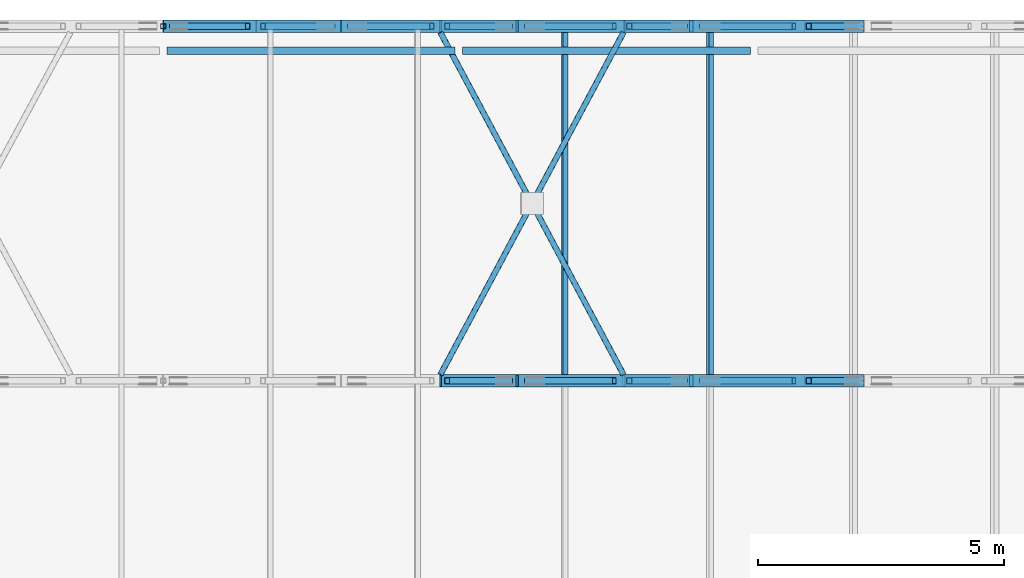
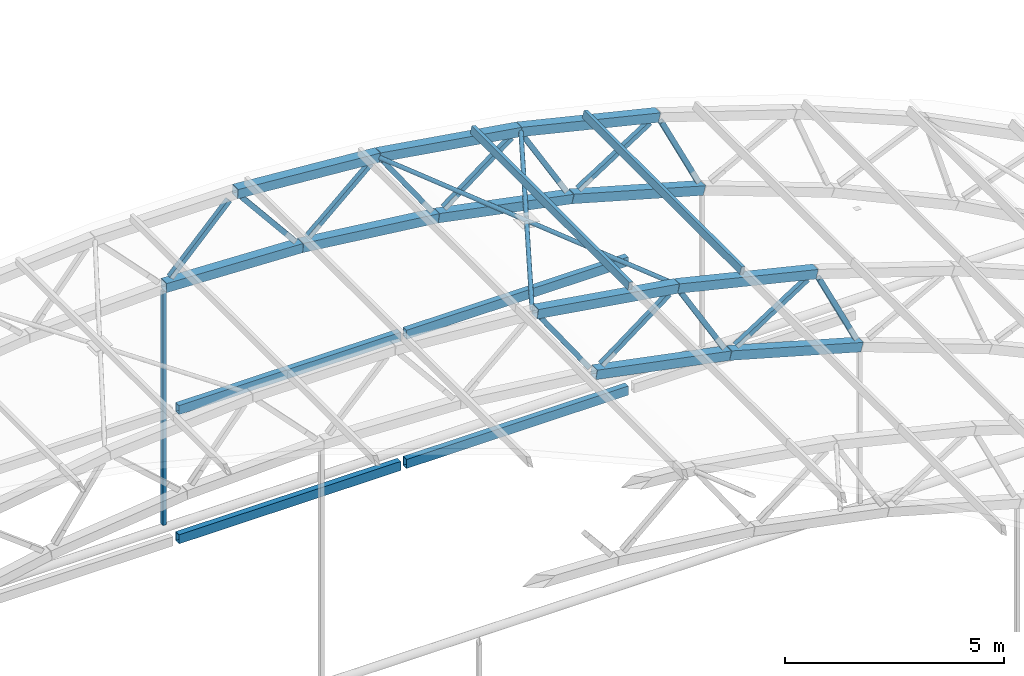
# One storey, part 31 of 127: 30 members, 4 beams.
"""IFC4 building model written with IfcOpenShell, lengths in metres."""

import ifcopenshell
import ifcopenshell.guid

model = None  # the IFC model being written
_history = None  # IfcOwnerHistory: only IFC2X3 demands one
_inside = {}  # id of a spatial element -> (the spatial element, [elements in it])
_under = {}  # id of a project, library or spatial element -> (it, [spatial elements below it])
_declared = {}  # id of a project -> (the project, [libraries it declares])
_typed = {}  # id of a type object -> (the type object, [elements of that type])
_made_of = {}  # id of a material, layer set ... -> (it, [elements and type objects made of it])


def new_model(schema):
    """Start an empty IFC model of exactly this schema.

    Asked for "IFC4X3", IfcOpenShell would pick the latest addendum, in which some entities
    have other attributes; the version numbers below select the first issue.
    IFC2X3 requires an IfcOwnerHistory on every rooted entity: one is made here for all.
    """
    global model, _history
    if schema == "IFC4X3":
        model = ifcopenshell.file(schema_version=(4, 3, 0, 0))
    else:
        model = ifcopenshell.file(schema=schema)
    _inside.clear()
    _under.clear()
    _declared.clear()
    _typed.clear()
    _made_of.clear()
    _history = None
    if model.schema == "IFC2X3":
        org = make("IfcOrganization", Name="unknown")
        user = make(
            "IfcPersonAndOrganization",
            ThePerson=make("IfcPerson", FamilyName="unknown"),
            TheOrganization=org,
        )
        app = make(
            "IfcApplication",
            ApplicationDeveloper=org,
            Version="unknown",
            ApplicationFullName="unknown",
            ApplicationIdentifier="unknown",
        )
        _history = make(
            "IfcOwnerHistory",
            OwningUser=user,
            OwningApplication=app,
            ChangeAction="ADDED",
            CreationDate=0,
        )
    return model


def make(cls, **values):
    """One entity of the class cls with the attributes given. An attribute that is None is left unset."""
    return model.create_entity(
        cls, **{name: value for name, value in values.items() if value is not None}
    )


def rooted(cls, **values):
    """An entity with a GlobalId (a new one), such as an element, a storey or a relation."""
    return make(cls, GlobalId=ifcopenshell.guid.new(), OwnerHistory=_history, **values)


def si_unit(unit_type, name, prefix=None):
    """IfcSIUnit, for example si_unit("LENGTHUNIT", "METRE", prefix="MILLI")."""
    return make("IfcSIUnit", UnitType=unit_type, Prefix=prefix, Name=name)


def assignment(units):
    """IfcUnitAssignment: the units of a project."""
    return None if units is None else make("IfcUnitAssignment", Units=units)


def point(xyz):
    """IfcCartesianPoint."""
    return None if xyz is None else make("IfcCartesianPoint", Coordinates=xyz)


def direction(xyz):
    """IfcDirection."""
    return None if xyz is None else make("IfcDirection", DirectionRatios=xyz)


def frame(location, z_axis=None, x_axis=None):
    """IfcAxis2Placement3D, a coordinate frame: its origin and axes. An axis left out is left unset."""
    return make(
        "IfcAxis2Placement3D",
        Location=point(location),
        Axis=direction(z_axis),
        RefDirection=direction(x_axis),
    )


def frame_2d(location, x_axis=None):
    """IfcAxis2Placement2D, a coordinate frame in the plane: its origin and x axis."""
    return make(
        "IfcAxis2Placement2D", Location=point(location), RefDirection=direction(x_axis)
    )


def origin():
    """The frame at (0, 0, 0) with its axes left unset."""
    return frame((0.0, 0.0, 0.0))


def origin_2d():
    """The frame at (0, 0) in the plane with its x axis left unset."""
    return frame_2d((0.0, 0.0))


def place(relative_to, where):
    """IfcLocalPlacement: puts the frame where relative to a parent placement (None: the world)."""
    return make(
        "IfcLocalPlacement", PlacementRelTo=relative_to, RelativePlacement=where
    )


def context(
    kind, dimensions, precision=None, world=None, true_north=None, identifier=None
):
    """IfcGeometricRepresentationContext, for example the 3D "Model" context."""
    return make(
        "IfcGeometricRepresentationContext",
        ContextIdentifier=identifier,
        ContextType=kind,
        CoordinateSpaceDimension=dimensions,
        Precision=precision,
        WorldCoordinateSystem=world,
        TrueNorth=true_north,
    )


def subcontext(parent, identifier, kind, view, scale=None):
    """IfcGeometricRepresentationSubContext, for example "Body" below "Model"."""
    return make(
        "IfcGeometricRepresentationSubContext",
        ContextIdentifier=identifier,
        ContextType=kind,
        ParentContext=parent,
        TargetScale=scale,
        TargetView=view,
    )


def project(units=None, contexts=None):
    """IfcProject with its units and contexts."""
    return rooted(
        "IfcProject",
        Name="project",
        RepresentationContexts=contexts,
        UnitsInContext=assignment(units),
    )


def spatial(cls, under=None, at=None, **own):
    """A site, building, storey or space (cls), placed at a placement, below another one or the project."""
    s = rooted(cls, ObjectPlacement=at, **own)
    if under is not None:
        _under.setdefault(under.id(), (under, []))[1].append(s)
    return s


def profile(cls, at=None, kind="AREA", **sizes):
    """A parametric profile (cls). Its sizes go by their IFC names, for example OverallWidth=200.0."""
    return make(cls, ProfileType=kind, Position=at, **sizes)


def hollow_rectangle(**sizes):
    """IfcRectangleHollowProfileDef."""
    return profile("IfcRectangleHollowProfileDef", **sizes)


def hollow_circle(**sizes):
    """IfcCircleHollowProfileDef."""
    return profile("IfcCircleHollowProfileDef", **sizes)


def extrude(swept, where, along, depth):
    """IfcExtrudedAreaSolid: the profile swept, set in the frame where, extruded along a direction by depth."""
    return make(
        "IfcExtrudedAreaSolid",
        SweptArea=swept,
        Position=where,
        ExtrudedDirection=direction(along),
        Depth=depth,
    )


def shape(context_of_items, identifier, shape_type, items):
    """IfcShapeRepresentation: the items that make up one representation, for example the "Body"."""
    return make(
        "IfcShapeRepresentation",
        ContextOfItems=context_of_items,
        RepresentationIdentifier=identifier,
        RepresentationType=shape_type,
        Items=items,
    )


def material(Name=None, Category=None):
    """IfcMaterial."""
    return make("IfcMaterial", Name=Name, Category=Category)


def material_profile(
    of_material, cross_section, Name=None, Category=None, Priority=None
):
    """IfcMaterialProfile: a cross section and its material."""
    return make(
        "IfcMaterialProfile",
        Name=Name,
        Material=of_material,
        Profile=cross_section,
        Priority=Priority,
        Category=Category,
    )


def profile_set(profiles, Name=None, composite=None):
    """IfcMaterialProfileSet."""
    return make(
        "IfcMaterialProfileSet",
        Name=Name,
        MaterialProfiles=profiles,
        CompositeProfile=composite,
    )


def made_of(thing, what):
    """Note that an element or type object is made of a material, layer set ...; save() writes the relation."""
    if what is not None:
        _made_of.setdefault(what.id(), (what, []))[1].append(thing)
    return thing


def type_object(cls, material=None, **own):
    """A type object (cls), such as IfcWallType, which elements share."""
    return made_of(rooted(cls, **own), material)


def element(
    cls,
    number,
    at=None,
    inside=None,
    cuts=None,
    type_object=None,
    material=None,
    context=None,
    identifier="Body",
    shape_type=None,
    held_by="IfcProductDefinitionShape",
    body=None,
    shapes=None,
    **own,
):
    """One element of the class cls, such as IfcWall. Its Tag is "e" and its number.

    at: its placement. inside: the storey or other place that contains it. cuts: it is an
    opening in that element (IfcRelVoidsElement). A single representation is given by context,
    identifier, shape_type and body (its items); several are given by shapes. held_by: the class
    of the entity that holds the representations. save() writes the other relations.
    """
    e = rooted(cls, Tag="e%d" % number, ObjectPlacement=at, **own)
    if body is not None:
        shapes = [shape(context, identifier, shape_type, body)]
    if shapes is not None:
        e.Representation = make(held_by, Representations=shapes)
    if inside is not None:
        _inside.setdefault(inside.id(), (inside, []))[1].append(e)
    if cuts is not None:
        rooted(
            "IfcRelVoidsElement", RelatingBuildingElement=cuts, RelatedOpeningElement=e
        )
    if type_object is not None:
        _typed.setdefault(type_object.id(), (type_object, []))[1].append(e)
    return made_of(e, material)


def aggregate(whole, parts):
    """IfcRelAggregates: a whole, such as a stair, and the parts it consists of."""
    return rooted("IfcRelAggregates", RelatingObject=whole, RelatedObjects=parts)


def save(model, path):
    """Write the relations noted so far, then the file.

    IfcRelAggregates (storeys below a building ...), IfcRelContainedInSpatialStructure (elements
    in a storey), IfcRelDefinesByType, IfcRelAssociatesMaterial and IfcRelDeclares: one each for
    every whole, place, type object, material and project.
    """
    for whole, parts in _under.values():
        aggregate(whole, parts)
    for where, things in _inside.values():
        rooted(
            "IfcRelContainedInSpatialStructure",
            RelatedElements=things,
            RelatingStructure=where,
        )
    for kind, things in _typed.values():
        rooted("IfcRelDefinesByType", RelatedObjects=things, RelatingType=kind)
    for what, things in _made_of.values():
        rooted("IfcRelAssociatesMaterial", RelatedObjects=things, RelatingMaterial=what)
    for by, libraries in _declared.values():
        rooted("IfcRelDeclares", RelatingContext=by, RelatedDefinitions=libraries)
    model.write(path)


model = new_model("IFC4")

# Units and contexts
model_context = context("Model", 3, precision=1e-05, world=origin(), true_north=direction((0.0, 1.0)))
body_context = subcontext(model_context, "Body", "Model", "MODEL_VIEW")
ifc_project = project(units=[si_unit("LENGTHUNIT", "METRE"), si_unit("AREAUNIT", "SQUARE_METRE"), si_unit("VOLUMEUNIT", "CUBIC_METRE"), si_unit("PLANEANGLEUNIT", "RADIAN"), si_unit("MASSUNIT", "GRAM", prefix="KILO")], contexts=[model_context])

# Site, building, storey
site_placement = place(None, origin())
site = spatial("IfcSite", under=ifc_project, at=site_placement, CompositionType="ELEMENT")
building_placement = place(site_placement, origin())
building = spatial("IfcBuilding", under=site, at=building_placement, Name="Verrick Yard Athletic Hall", CompositionType="ELEMENT")
storey_placement = place(building_placement, frame((0.0, 0.0, 14.0)))
storey = spatial("IfcBuildingStorey", under=building, at=storey_placement, Name="L03", CompositionType="ELEMENT", Elevation=14.0)

# Members
ifc_material = material(Name="Structural steel HSS Class C 350W (CSA G40.20/G40.21)", Category="steel")
ifc_material_profile_1 = material_profile(ifc_material, hollow_rectangle(XDim=0.25390625, YDim=0.25390625, WallThickness=0.009521484375, at=origin_2d()), Name="HSS254x254x9.5")
ifc_profile_set_1 = profile_set([ifc_material_profile_1], Name="Structural steel HSS Class C 350W (CSA G40.20/G40.21)")
member_type_1 = type_object("IfcMemberType", Name="HB bottom chord HSS254x254x9.5", PredefinedType="CHORD", material=ifc_profile_set_1)
member_1_placement = place(storey_placement, frame((59.189208984375, 100.800048828125, 6.191650390625), z_axis=(0.980848695375, 0.0, -0.194771242181), x_axis=(0.0, 1.0, 0.0)))
element("IfcMember", 1, at=member_1_placement, inside=storey, type_object=member_type_1, Name="Truss TB5 bottom chord 10", PredefinedType="CHORD", context=body_context, shape_type="SweptSolid", body=[
    extrude(hollow_rectangle(XDim=0.25390625, YDim=0.25390625, WallThickness=0.009521484375, at=origin_2d()), origin(), (0.0, 0.0, 1.0), 3.59619140625),
])
member_2_placement = place(storey_placement, frame((62.726318359375, 100.800048828125, 5.489013671875), z_axis=(0.962572378456, 0.0, -0.271024752066), x_axis=(0.0, 1.0, 0.0)))
element("IfcMember", 2, at=member_2_placement, inside=storey, type_object=member_type_1, Name="Truss TB5 bottom chord 11", PredefinedType="CHORD", context=body_context, shape_type="SweptSolid", body=[
    extrude(hollow_rectangle(XDim=0.25390625, YDim=0.25390625, WallThickness=0.009521484375, at=origin_2d()), origin(), (0.0, 0.0, 1.0), 3.595947265625),
])
for number, where, z_axis, x_axis, name in (
    (3, (52.0048828125, 108.0, 6.757080078125), (0.999229864493, 0.0, -0.039238729647), (0.0, 1.0, 0.0), "Truss TB6 bottom chord 8"),
    (4, (55.608154296875, 108.0, 6.615234375), (0.993094882284, 0.0, -0.117313915545), (0.0, 1.0, 0.0), "Truss TB6 bottom chord 9"),
    (5, (59.189208984375, 108.0, 6.191650390625), (0.980848695375, 0.0, -0.194771242181), (0.0, 1.0, 0.0), "Truss TB6 bottom chord 10"),
):
    element("IfcMember", number, at=place(storey_placement, frame(where, z_axis=z_axis, x_axis=x_axis)), inside=storey, type_object=member_type_1, Name=name, PredefinedType="CHORD", context=body_context, shape_type="SweptSolid", body=[
        extrude(hollow_rectangle(XDim=0.25390625, YDim=0.25390625, WallThickness=0.009521484375, at=origin_2d()), origin(), (0.0, 0.0, 1.0), 3.59619140625),
    ])
member_3_placement = place(storey_placement, frame((62.726318359375, 108.0, 5.489013671875), z_axis=(0.962572378456, 0.0, -0.271024752066), x_axis=(0.0, 1.0, 0.0)))
element("IfcMember", 6, at=member_3_placement, inside=storey, type_object=member_type_1, Name="Truss TB6 bottom chord 11", PredefinedType="CHORD", context=body_context, shape_type="SweptSolid", body=[
    extrude(hollow_rectangle(XDim=0.25390625, YDim=0.25390625, WallThickness=0.009521484375, at=origin_2d()), origin(), (0.0, 0.0, 1.0), 3.595947265625),
])
ifc_material_profile_2 = material_profile(ifc_material, hollow_rectangle(XDim=0.1015625, YDim=0.203125, WallThickness=0.009521484375, at=origin_2d()), Name="HSS203x102x9.5")
ifc_profile_set_2 = profile_set([ifc_material_profile_2], Name="Structural steel HSS Class C 350W (CSA G40.20/G40.21)")
member_type_2 = type_object("IfcMemberType", Name="HB purlin HSS203x102x9.5", PredefinedType="PURLIN", material=ifc_profile_set_2)
for number, where, z_axis, x_axis, name in (
    (7, (60.153076171875, 100.800048828125, 8.258544921875), (0.0, 1.0, 0.0), (-0.987728086354, 0.0, 0.156183313539), "HB-PU-B-5-12"),
    (8, (63.10693359375, 100.800048828125, 7.651611328125), (0.0, 1.0, 0.0), (-0.972458956474, 0.0, 0.23307418985), "HB-PU-B-5-13"),
):
    element("IfcMember", number, at=place(storey_placement, frame(where, z_axis=z_axis, x_axis=x_axis)), inside=storey, type_object=member_type_2, Name=name, PredefinedType="PURLIN", context=body_context, shape_type="SweptSolid", body=[
        extrude(hollow_rectangle(XDim=0.1015625, YDim=0.203125, WallThickness=0.009521484375, at=origin_2d()), origin(), (0.0, 0.0, 1.0), 7.199951171875),
    ])
ifc_material_profile_3 = material_profile(ifc_material, hollow_circle(Radius=0.05712890625, WallThickness=0.00634765625, at=origin_2d()), Name="HSS114x6.4")
ifc_profile_set_3 = profile_set([ifc_material_profile_3], Name="Structural steel HSS Class C 350W (CSA G40.20/G40.21)")
member_type_3 = type_object("IfcMemberType", Name="HB roof brace HSS114x6.4", PredefinedType="BRACE", material=ifc_profile_set_3)
member_4_placement = place(storey_placement, frame((57.6328125, 100.927001953125, 8.425537109375), z_axis=(0.470471333752, 0.879275866064, -0.074368511315), x_axis=(-0.881717493365, 0.471777767486, 0.0)))
element("IfcMember", 9, at=member_4_placement, inside=storey, type_object=member_type_3, Name="HB-BR-B-5-8b1", PredefinedType="BRACE", context=body_context, shape_type="SweptSolid", body=[
    extrude(hollow_circle(Radius=0.05712890625, WallThickness=0.00634765625, at=origin_2d()), origin(), (0.0, 0.0, 1.0), 3.84423828125),
])
member_5_placement = place(storey_placement, frame((59.540771484375, 104.49267578125, 8.123779296875), z_axis=(0.470445063163, 0.879290273292, -0.074364358661), x_axis=(-0.881731666792, 0.471751277451, 0.0)))
element("IfcMember", 10, at=member_5_placement, inside=storey, type_object=member_type_3, Name="HB-BR-B-5-8b2", PredefinedType="BRACE", context=body_context, shape_type="SweptSolid", body=[
    extrude(hollow_circle(Radius=0.05712890625, WallThickness=0.00634765625, at=origin_2d()), origin(), (0.0, 0.0, 1.0), 3.844482421875),
])
member_6_placement = place(storey_placement, frame((61.349365234375, 100.927001953125, 7.837890625), z_axis=(-0.470466174635, 0.87927695819, 0.074388233748), x_axis=(-0.881719889133, -0.471773289947, 0.0)))
element("IfcMember", 11, at=member_6_placement, inside=storey, type_object=member_type_3, Name="HB-BR-B-5-8a", PredefinedType="BRACE", context=body_context, shape_type="SweptSolid", body=[
    extrude(hollow_circle(Radius=0.05712890625, WallThickness=0.00634765625, at=origin_2d()), origin(), (0.0, 0.0, 1.0), 7.899658203125),
])
ifc_material_profile_4 = material_profile(ifc_material, hollow_rectangle(XDim=0.25390625, YDim=0.25390625, WallThickness=0.009521484375, at=origin_2d()), Name="HSS254x254x9.5")
ifc_profile_set_4 = profile_set([ifc_material_profile_4], Name="Structural steel HSS Class C 350W (CSA G40.20/G40.21)")
member_type_4 = type_object("IfcMemberType", Name="HB top chord HSS254x254x9.5", PredefinedType="CHORD", material=ifc_profile_set_4)
member_7_placement = place(storey_placement, frame((57.6376953125, 100.800048828125, 8.4248046875), z_axis=(0.987726014692, 0.0, -0.156196414495), x_axis=(0.0, 1.0, 0.0)))
element("IfcMember", 12, at=member_7_placement, inside=storey, type_object=member_type_4, Name="Truss TB5 top chord 10", PredefinedType="CHORD", context=body_context, shape_type="SweptSolid", body=[
    extrude(hollow_rectangle(XDim=0.25390625, YDim=0.25390625, WallThickness=0.009521484375, at=origin_2d()), origin(), (0.0, 0.0, 1.0), 3.7529296875),
])
for number, where, z_axis, x_axis, name in (
    (13, (61.354248046875, 100.800048828125, 7.836669921875), (0.972453991168, 0.0, -0.233094905697), (0.0, 1.0, 0.0), "Truss TB5 top chord 11"),
    (14, (53.886474609375, 108.0, 8.719970703125), (0.99692762922, 0.0, -0.07832816925), (0.0, 1.0, 0.0), "Truss TB6 top chord 9"),
):
    element("IfcMember", number, at=place(storey_placement, frame(where, z_axis=z_axis, x_axis=x_axis)), inside=storey, type_object=member_type_4, Name=name, PredefinedType="CHORD", context=body_context, shape_type="SweptSolid", body=[
        extrude(hollow_rectangle(XDim=0.25390625, YDim=0.25390625, WallThickness=0.009521484375, at=origin_2d()), origin(), (0.0, 0.0, 1.0), 3.752685546875),
    ])
member_8_placement = place(storey_placement, frame((57.6376953125, 108.0, 8.4248046875), z_axis=(0.987726014692, 0.0, -0.156196414495), x_axis=(0.0, 1.0, 0.0)))
element("IfcMember", 15, at=member_8_placement, inside=storey, type_object=member_type_4, Name="Truss TB6 top chord 10", PredefinedType="CHORD", context=body_context, shape_type="SweptSolid", body=[
    extrude(hollow_rectangle(XDim=0.25390625, YDim=0.25390625, WallThickness=0.009521484375, at=origin_2d()), origin(), (0.0, 0.0, 1.0), 3.7529296875),
])
member_9_placement = place(storey_placement, frame((61.354248046875, 108.0, 7.836669921875), z_axis=(0.972453991168, 0.0, -0.233094905697), x_axis=(0.0, 1.0, 0.0)))
element("IfcMember", 16, at=member_9_placement, inside=storey, type_object=member_type_4, Name="Truss TB6 top chord 11", PredefinedType="CHORD", context=body_context, shape_type="SweptSolid", body=[
    extrude(hollow_rectangle(XDim=0.25390625, YDim=0.25390625, WallThickness=0.009521484375, at=origin_2d()), origin(), (0.0, 0.0, 1.0), 3.752685546875),
])
ifc_material_profile_5 = material_profile(ifc_material, hollow_rectangle(XDim=0.1015625, YDim=0.1015625, WallThickness=0.00634765625, at=origin_2d()), Name="HSS102x102x6.4")
ifc_profile_set_5 = profile_set([ifc_material_profile_5], Name="Structural steel HSS Class C 350W (CSA G40.20/G40.21)")
member_type_5 = type_object("IfcMemberType", Name="HB truss hanger HSS102x102x6.4", PredefinedType="MEMBER", material=ifc_profile_set_5)
member_10_placement = place(storey_placement, frame((52.0, 108.0, 6.628173828125), z_axis=(0.0, 0.0, -1.0), x_axis=(0.0, -1.0, 0.0)))
element("IfcMember", 17, at=member_10_placement, inside=storey, type_object=member_type_5, Name="Truss TB6 hanger 2", PredefinedType="MEMBER", context=body_context, shape_type="SweptSolid", body=[
    extrude(hollow_rectangle(XDim=0.1015625, YDim=0.1015625, WallThickness=0.00634765625, at=origin_2d()), origin(), (0.0, 0.0, 1.0), 6.5185546875),
])
ifc_material_profile_6 = material_profile(ifc_material, hollow_rectangle(XDim=0.126953125, YDim=0.126953125, WallThickness=0.009521484375, at=origin_2d()), Name="HSS127x127x9.5")
ifc_profile_set_6 = profile_set([ifc_material_profile_6], Name="Structural steel HSS Class C 350W (CSA G40.20/G40.21)")
member_type_6 = type_object("IfcMemberType", Name="HB truss web HSS127x127x9.5", PredefinedType="BRACE", material=ifc_profile_set_6)
member_11_placement = place(storey_placement, frame((57.767822265625, 100.800048828125, 8.231201171875), z_axis=(0.570664111571, 0.0, -0.821183579819), x_axis=(0.0, 1.0, 0.0)))
element("IfcMember", 18, at=member_11_placement, inside=storey, type_object=member_type_6, Name="Truss TB5 web 18", PredefinedType="BRACE", context=body_context, shape_type="SweptSolid", body=[
    extrude(hollow_rectangle(XDim=0.126953125, YDim=0.126953125, WallThickness=0.009521484375, at=origin_2d()), origin(), (0.0, 0.0, 1.0), 2.233642578125),
])
member_12_placement = place(storey_placement, frame((59.382568359375, 100.800048828125, 6.34326171875), z_axis=(0.796206425538, 0.0, 0.605025063887), x_axis=(0.0, 1.0, 0.0)))
element("IfcMember", 19, at=member_12_placement, inside=storey, type_object=member_type_6, Name="Truss TB5 web 19", PredefinedType="BRACE", context=body_context, shape_type="SweptSolid", body=[
    extrude(hollow_rectangle(XDim=0.126953125, YDim=0.126953125, WallThickness=0.009521484375, at=origin_2d()), origin(), (0.0, 0.0, 1.0), 2.2333984375),
])
for number, where, z_axis, x_axis, name in (
    (20, (61.46875, 100.800048828125, 7.633544921875), (0.504625153938, 0.0, -0.863338551214), (0.0, 1.0, 0.0), "Truss TB5 web 20"),
    (21, (62.9306640625, 100.800048828125, 5.624755859375), (0.841118094735, 0.0, 0.54085150523), (0.0, 1.0, 0.0), "Truss TB5 web 21"),
    (22, (65.111572265625, 100.800048828125, 6.74755859375), (0.435458074734, 0.0, -0.900209011924), (0.0, 1.0, 0.0), "Truss TB5 web 22"),
):
    element("IfcMember", number, at=place(storey_placement, frame(where, z_axis=z_axis, x_axis=x_axis)), inside=storey, type_object=member_type_6, Name=name, PredefinedType="BRACE", context=body_context, shape_type="SweptSolid", body=[
        extrude(hollow_rectangle(XDim=0.126953125, YDim=0.126953125, WallThickness=0.009521484375, at=origin_2d()), origin(), (0.0, 0.0, 1.0), 2.233642578125),
    ])
member_13_placement = place(storey_placement, frame((52.172119140625, 108.0, 6.936767578125), z_axis=(0.691917233653, 0.0, 0.721976829112), x_axis=(0.0, 1.0, 0.0)))
element("IfcMember", 23, at=member_13_placement, inside=storey, type_object=member_type_6, Name="Truss TB6 web 15", PredefinedType="BRACE", context=body_context, shape_type="SweptSolid", body=[
    extrude(hollow_rectangle(XDim=0.126953125, YDim=0.126953125, WallThickness=0.009521484375, at=origin_2d()), origin(), (0.0, 0.0, 1.0), 2.2333984375),
])
for number, where, z_axis, x_axis, name in (
    (24, (54.03125, 108.0, 8.537109375), (0.633267548908, 0.0, -0.773932950262), (0.0, 1.0, 0.0), "Truss TB6 web 16"),
    (25, (55.788818359375, 108.0, 6.781494140625), (0.746389338881, 0.0, 0.66550954524), (0.0, 1.0, 0.0), "Truss TB6 web 17"),
    (26, (57.767822265625, 108.0, 8.231201171875), (0.570664111571, 0.0, -0.821183579819), (0.0, 1.0, 0.0), "Truss TB6 web 18"),
):
    element("IfcMember", number, at=place(storey_placement, frame(where, z_axis=z_axis, x_axis=x_axis)), inside=storey, type_object=member_type_6, Name=name, PredefinedType="BRACE", context=body_context, shape_type="SweptSolid", body=[
        extrude(hollow_rectangle(XDim=0.126953125, YDim=0.126953125, WallThickness=0.009521484375, at=origin_2d()), origin(), (0.0, 0.0, 1.0), 2.233642578125),
    ])
member_14_placement = place(storey_placement, frame((59.382568359375, 108.0, 6.34326171875), z_axis=(0.796206425538, 0.0, 0.605025063887), x_axis=(0.0, 1.0, 0.0)))
element("IfcMember", 27, at=member_14_placement, inside=storey, type_object=member_type_6, Name="Truss TB6 web 19", PredefinedType="BRACE", context=body_context, shape_type="SweptSolid", body=[
    extrude(hollow_rectangle(XDim=0.126953125, YDim=0.126953125, WallThickness=0.009521484375, at=origin_2d()), origin(), (0.0, 0.0, 1.0), 2.2333984375),
])
for number, where, z_axis, x_axis, name in (
    (28, (61.46875, 108.0, 7.633544921875), (0.504625153938, 0.0, -0.863338551214), (0.0, 1.0, 0.0), "Truss TB6 web 20"),
    (29, (62.9306640625, 108.0, 5.624755859375), (0.841118094735, 0.0, 0.54085150523), (0.0, 1.0, 0.0), "Truss TB6 web 21"),
    (30, (65.111572265625, 108.0, 6.74755859375), (0.435458074734, 0.0, -0.900209011924), (0.0, 1.0, 0.0), "Truss TB6 web 22"),
):
    element("IfcMember", number, at=place(storey_placement, frame(where, z_axis=z_axis, x_axis=x_axis)), inside=storey, type_object=member_type_6, Name=name, PredefinedType="BRACE", context=body_context, shape_type="SweptSolid", body=[
        extrude(hollow_rectangle(XDim=0.126953125, YDim=0.126953125, WallThickness=0.009521484375, at=origin_2d()), origin(), (0.0, 0.0, 1.0), 2.233642578125),
    ])

# Beams
ifc_material_profile_7 = material_profile(ifc_material, hollow_rectangle(XDim=0.15234375, YDim=0.25390625, WallThickness=0.009521484375, at=origin_2d()), Name="HSS254x152x9.5")
ifc_profile_set_7 = profile_set([ifc_material_profile_7], Name="Structural steel HSS Class C 350W (CSA G40.20/G40.21)")
beam_type = type_object("IfcBeamType", Name="HB wind girder HSS254x152x9.5", PredefinedType="BEAM", material=ifc_profile_set_7)
for number, where, z_axis, x_axis, name in (
    (31, (52.076171875, 107.50537109375, 0.0), (1.0, 0.0, 0.0), (0.0, 1.0, 0.0), "HB-WG-BN-140-4"),
    (32, (58.076171875, 107.50537109375, 0.0), (1.0, 0.0, 0.0), (0.0, 1.0, 0.0), "HB-WG-BN-140-5"),
    (33, (52.076171875, 107.50537109375, 3.60009765625), (1.0, 0.0, 0.0), (0.0, 1.0, 0.0), "HB-WG-BN-176-3"),
    (34, (58.076171875, 107.50537109375, 3.60009765625), (1.0, 0.0, 0.0), (0.0, 1.0, 0.0), "HB-WG-BN-176-4"),
):
    element("IfcBeam", number, at=place(storey_placement, frame(where, z_axis=z_axis, x_axis=x_axis)), inside=storey, type_object=beam_type, Name=name, PredefinedType="BEAM", context=body_context, shape_type="SweptSolid", body=[
        extrude(hollow_rectangle(XDim=0.15234375, YDim=0.25390625, WallThickness=0.009521484375, at=origin_2d()), origin(), (0.0, 0.0, 1.0), 5.84765625),
    ])

save(model, "model.ifc")
